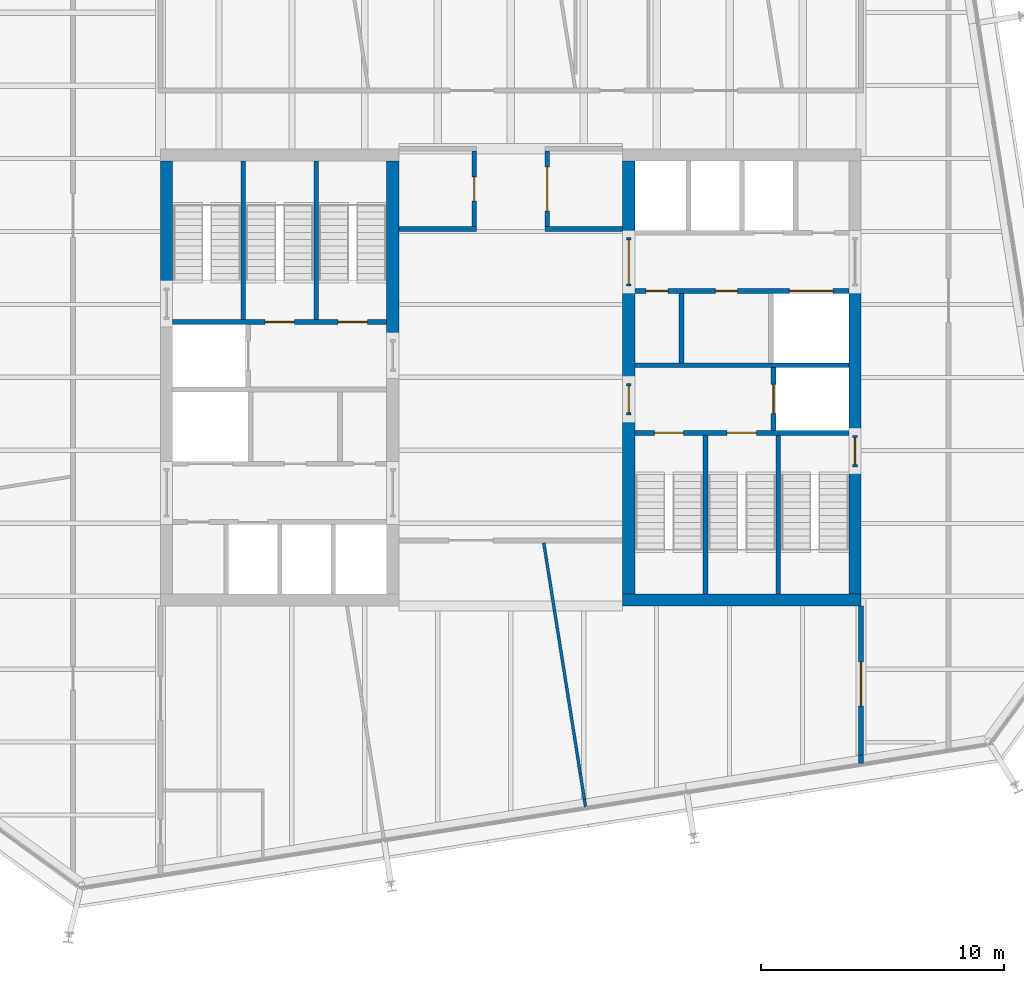
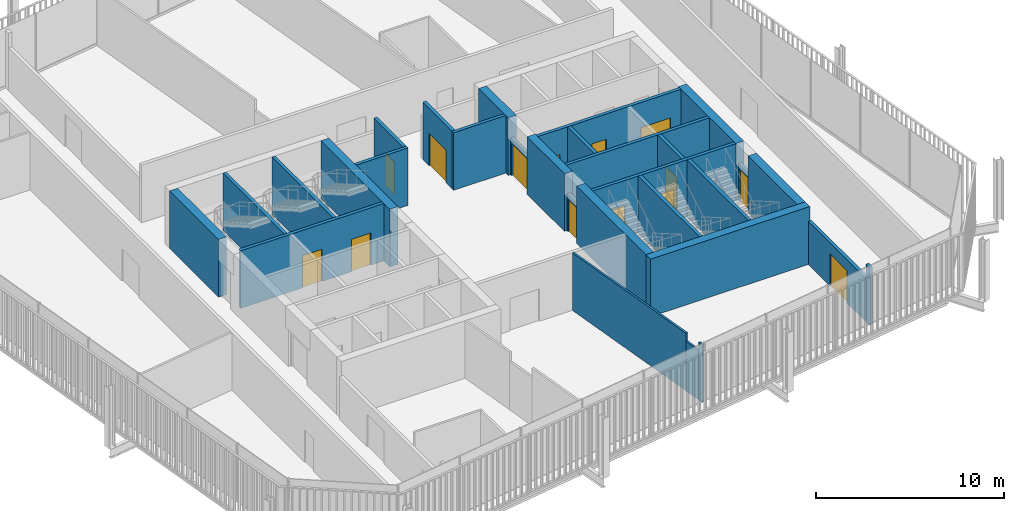
# One storey, part 17 of 20: 30 walls, 14 doors, 14 openings.
"""IFC4 building model written with IfcOpenShell, lengths in metres."""

from ifc_helpers import new_model, si_unit, direction, frame, frame_2d, origin, place, context, subcontext, project, spatial, rectangle, extrude, material, layer, layer_set, type_object, element, fill, save


model = new_model("IFC4")

# Units and contexts
model_context = context("Model", 3, precision=1e-05, world=origin(), true_north=direction((0.0, 1.0)))
body_context = subcontext(model_context, "Body", "Model", "MODEL_VIEW")
ifc_project = project(units=[si_unit("LENGTHUNIT", "METRE"), si_unit("AREAUNIT", "SQUARE_METRE"), si_unit("VOLUMEUNIT", "CUBIC_METRE"), si_unit("PLANEANGLEUNIT", "RADIAN"), si_unit("MASSUNIT", "GRAM", prefix="KILO")], contexts=[model_context])

# Site, building, storey
site_placement = place(None, origin())
site = spatial("IfcSite", under=ifc_project, at=site_placement, CompositionType="ELEMENT")
building_placement = place(site_placement, origin())
building = spatial("IfcBuilding", under=site, at=building_placement, Name="Millrace Tower", CompositionType="ELEMENT")
storey_placement = place(building_placement, frame((0.0, 0.0, 251.300048828125)))
storey = spatial("IfcBuildingStorey", under=building, at=storey_placement, Name="L57", CompositionType="ELEMENT", Elevation=251.300048828125)

# Walls
ifc_material_1 = material(Name="Concrete C60", Category="concrete")
ifc_layer_1 = layer(ifc_material_1, 0.5)
ifc_layer_set_1 = layer_set([ifc_layer_1], Name="Concrete C60")
wall_type_1 = type_object("IfcWallType", Name="Core wall 500 Concrete C60", PredefinedType="SHEAR", material=ifc_layer_set_1)
wall_1_placement = place(storey_placement, frame((-14.14990234375, 3.679931640625, 0.0), z_axis=(0.0, 0.0, 1.0), x_axis=(0.0, 1.0, 0.0)))
element("IfcWall", 1, at=wall_1_placement, inside=storey, type_object=wall_type_1, Name="Core wall W L57", PredefinedType="SHEAR", context=body_context, shape_type="SweptSolid", body=[
    extrude(rectangle(XDim=5.219970703125, YDim=0.5, at=frame_2d((2.60986328125, 0.0))), origin(), (0.0, 0.0, 1.0), 3.739990234375),
])
wall_2_placement = place(storey_placement, frame((-4.85009765625, 1.550048828125, 0.0), z_axis=(0.0, 0.0, 1.0), x_axis=(0.0, 1.0, 0.0)))
element("IfcWall", 2, at=wall_2_placement, inside=storey, type_object=wall_type_1, Name="Core wall W L57", PredefinedType="SHEAR", context=body_context, shape_type="SweptSolid", body=[
    extrude(rectangle(XDim=7.349853515625, YDim=0.5, at=frame_2d((3.6748046875, 0.0))), origin(), (0.0, 0.0, 1.0), 3.739990234375),
])
wall_3_placement = place(storey_placement, frame((14.39990234375, -9.14990234375, 0.0), z_axis=(0.0, 0.0, 1.0), x_axis=(-1.0, 0.0, 0.0)))
element("IfcWall", 3, at=wall_3_placement, inside=storey, type_object=wall_type_1, Name="Core wall E L57", PredefinedType="SHEAR", context=body_context, shape_type="SweptSolid", body=[
    extrude(rectangle(XDim=9.7998046875, YDim=0.5, at=frame_2d((4.89990234375, 0.0))), origin(), (0.0, 0.0, 1.0), 3.739990234375),
])
wall_4_placement = place(storey_placement, frame((14.14990234375, 3.75, 0.0), z_axis=(0.0, 0.0, 1.0), x_axis=(0.0, -1.0, 0.0)))
element("IfcWall", 4, at=wall_4_placement, inside=storey, type_object=wall_type_1, Name="Core wall E L57", PredefinedType="SHEAR", context=body_context, shape_type="SweptSolid", body=[
    extrude(rectangle(XDim=6.1298828125, YDim=0.5, at=frame_2d((3.06494140625, 0.0))), origin(), (0.0, 0.0, 1.0), 3.739990234375),
])
wall_5_placement = place(storey_placement, frame((14.14990234375, -3.679931640625, 0.0), z_axis=(0.0, 0.0, 1.0), x_axis=(0.0, -1.0, 0.0)))
element("IfcWall", 5, at=wall_5_placement, inside=storey, type_object=wall_type_1, Name="Core wall E L57", PredefinedType="SHEAR", context=body_context, shape_type="SweptSolid", body=[
    extrude(rectangle(XDim=5.219970703125, YDim=0.5, at=frame_2d((2.60986328125, 0.0))), origin(), (0.0, 0.0, 1.0), 3.739990234375),
])
wall_6_placement = place(storey_placement, frame((4.85009765625, 8.89990234375, 0.0), z_axis=(0.0, 0.0, 1.0), x_axis=(0.0, -1.0, 0.0)))
element("IfcWall", 6, at=wall_6_placement, inside=storey, type_object=wall_type_1, Name="Core wall E L57", PredefinedType="SHEAR", context=body_context, shape_type="SweptSolid", body=[
    extrude(rectangle(XDim=3.14990234375, YDim=0.5, at=frame_2d((1.574951171875, 0.0))), origin(), (0.0, 0.0, 1.0), 3.739990234375),
])
wall_7_placement = place(storey_placement, frame((4.85009765625, 3.75, 0.0), z_axis=(0.0, 0.0, 1.0), x_axis=(0.0, -1.0, 0.0)))
element("IfcWall", 7, at=wall_7_placement, inside=storey, type_object=wall_type_1, Name="Core wall E L57", PredefinedType="SHEAR", context=body_context, shape_type="SweptSolid", body=[
    extrude(rectangle(XDim=4.0, YDim=0.5, at=frame_2d((2.0, 0.0))), origin(), (0.0, 0.0, 1.0), 3.739990234375),
])
wall_8_placement = place(storey_placement, frame((4.85009765625, -1.550048828125, 0.0), z_axis=(0.0, 0.0, 1.0), x_axis=(0.0, -1.0, 0.0)))
element("IfcWall", 8, at=wall_8_placement, inside=storey, type_object=wall_type_1, Name="Core wall E L57", PredefinedType="SHEAR", context=body_context, shape_type="SweptSolid", body=[
    extrude(rectangle(XDim=7.349853515625, YDim=0.5, at=frame_2d((3.6748046875, 0.0))), origin(), (0.0, 0.0, 1.0), 3.739990234375),
])
ifc_material_2 = material(Name="Masonry partition, fire-rated", Category="masonry")
ifc_layer_2 = layer(ifc_material_2, 0.199951171875)
ifc_layer_set_2 = layer_set([ifc_layer_2], Name="Masonry partition, fire-rated")
wall_type_2 = type_object("IfcWallType", Name="Corridor wall 200", PredefinedType="PARTITIONING", material=ifc_layer_set_2)
for number, where, z_axis, x_axis, name in (
    (9, (-4.60009765625, 6.10009765625, 0.0), (0.0, 0.0, 1.0), (1.0, 0.0, 0.0), "Corridor wall L57"),
    (10, (1.39990234375, 6.10009765625, 0.0), (0.0, 0.0, 1.0), (1.0, 0.0, 0.0), "Corridor wall L57"),
):
    element("IfcWall", number, at=place(storey_placement, frame(where, z_axis=z_axis, x_axis=x_axis)), inside=storey, type_object=wall_type_2, Name=name, PredefinedType="PARTITIONING", context=body_context, shape_type="SweptSolid", body=[
        extrude(rectangle(XDim=3.2001953125, YDim=0.199951171875, at=frame_2d((1.60009765625, 0.0))), origin(), (0.0, 0.0, 1.0), 3.739990234375),
    ])
wall_9_placement = place(storey_placement, frame((14.39990234375, -15.87451171875, 0.0), z_axis=(0.0, 0.0, 1.0), x_axis=(0.0, 1.0, 0.0)))
element("IfcWall", 11, at=wall_9_placement, inside=storey, type_object=wall_type_2, Name="Corridor wall L57", PredefinedType="PARTITIONING", context=body_context, shape_type="SweptSolid", body=[
    extrude(rectangle(XDim=0.349609375, YDim=0.199951171875, at=frame_2d((0.1748046875, 0.0))), origin(), (0.0, 0.0, 1.0), 3.739990234375),
])

# Wall, opening, door
wall_10_placement = place(storey_placement, frame((14.39990234375, -15.52490234375, 0.0), z_axis=(0.0, 0.0, 1.0), x_axis=(0.0, 1.0, 0.0)))
wall_10 = element("IfcWall", 12, at=wall_10_placement, inside=storey, type_object=wall_type_2, Name="Corridor wall L57", PredefinedType="PARTITIONING", context=body_context, shape_type="SweptSolid", body=[
    extrude(rectangle(XDim=6.125, YDim=0.199951171875, at=frame_2d((3.0625, 0.0))), origin(), (0.0, 0.0, 1.0), 2.812744140625),
])
opening_1_placement = place(wall_10_placement, frame((2.012939453125, 0.0, 0.0)))
opening_1 = element("IfcOpeningElement", 13, at=opening_1_placement, cuts=wall_10, Name="Opening 57-P014", PredefinedType="OPENING", context=body_context, shape_type="SweptSolid", body=[
    extrude(rectangle(XDim=1.800048828125, YDim=2.10009765625, at=frame_2d((0.89990234375, 1.050048828125))), frame((0.0, 0.10986328125, 0.0), z_axis=(0.0, -1.0, 0.0), x_axis=(1.0, 0.0, 0.0)), (0.0, 0.0, 1.0), 0.219970703125),
])
ifc_material_3 = material(Name="Steel door set, fire-rated", Category="steel")
door_type_1 = type_object("IfcDoorType", Name="Corridor door 1800 x 2100", OperationType="DOUBLE_DOOR_SINGLE_SWING", PredefinedType="DOOR", material=ifc_material_3)
door_1_placement = place(opening_1_placement, origin())
door_1 = element("IfcDoor", 14, at=door_1_placement, inside=storey, type_object=door_type_1, Name="Door 57-P014", OperationType="DOUBLE_DOOR_SINGLE_SWING", OverallHeight=2.10009765625, OverallWidth=1.800048828125, PredefinedType="DOOR", context=body_context, shape_type="SweptSolid", body=[
    extrude(rectangle(XDim=1.800048828125, YDim=2.10009765625, at=frame_2d((0.89990234375, 1.050048828125))), frame((0.0, 0.02490234375, 0.0), z_axis=(0.0, -1.0, 0.0), x_axis=(1.0, 0.0, 0.0)), (0.0, 0.0, 1.0), 0.050048828125),
])
fill(opening_1, door_1)

wall_11_placement = place(storey_placement, frame((1.5, 6.199951171875, 0.0), z_axis=(0.0, 0.0, 1.0), x_axis=(0.0, 1.0, 0.0)))
wall_11 = element("IfcWall", 15, at=wall_11_placement, inside=storey, type_object=wall_type_2, Name="Corridor wall L57", PredefinedType="PARTITIONING", context=body_context, shape_type="SweptSolid", body=[
    extrude(rectangle(XDim=3.10009765625, YDim=0.199951171875, at=frame_2d((1.550048828125, 0.0))), origin(), (0.0, 0.0, 1.0), 3.739990234375),
])
opening_2_placement = place(wall_11_placement, frame((0.64990234375, 0.0, 0.0)))
opening_2 = element("IfcOpeningElement", 16, at=opening_2_placement, cuts=wall_11, Name="Opening 57-P002", PredefinedType="OPENING", context=body_context, shape_type="SweptSolid", body=[
    extrude(rectangle(XDim=1.800048828125, YDim=2.10009765625, at=frame_2d((0.89990234375, 1.050048828125))), frame((0.0, 0.10986328125, 0.0), z_axis=(0.0, -1.0, 0.0), x_axis=(1.0, 0.0, 0.0)), (0.0, 0.0, 1.0), 0.219970703125),
])
ifc_material_4 = material(Name="Steel door set, fire-rated", Category="steel")
door_type_2 = type_object("IfcDoorType", Name="Data hall door 1800 x 2100", OperationType="DOUBLE_DOOR_SINGLE_SWING", PredefinedType="DOOR", material=ifc_material_4)
door_2_placement = place(opening_2_placement, frame((1.800048828125, 0.0, 0.0), z_axis=(0.0, 0.0, 1.0), x_axis=(-1.0, 0.0, 0.0)))
door_2 = element("IfcDoor", 17, at=door_2_placement, inside=storey, type_object=door_type_2, Name="Door 57-P002", OperationType="DOUBLE_DOOR_SINGLE_SWING", OverallHeight=2.10009765625, OverallWidth=1.800048828125, PredefinedType="DOOR", context=body_context, shape_type="SweptSolid", body=[
    extrude(rectangle(XDim=1.800048828125, YDim=2.10009765625, at=frame_2d((0.89990234375, 1.050048828125))), frame((0.0, 0.02490234375, 0.0), z_axis=(0.0, -1.0, 0.0), x_axis=(1.0, 0.0, 0.0)), (0.0, 0.0, 1.0), 0.050048828125),
])
fill(opening_2, door_2)

wall_12_placement = place(storey_placement, frame((-1.5, 6.199951171875, 0.0), z_axis=(0.0, 0.0, 1.0), x_axis=(0.0, 1.0, 0.0)))
wall_12 = element("IfcWall", 18, at=wall_12_placement, inside=storey, type_object=wall_type_2, Name="Corridor wall L57", PredefinedType="PARTITIONING", context=body_context, shape_type="SweptSolid", body=[
    extrude(rectangle(XDim=3.10009765625, YDim=0.199951171875, at=frame_2d((1.550048828125, 0.0))), origin(), (0.0, 0.0, 1.0), 3.739990234375),
])
opening_3_placement = place(wall_12_placement, frame((1.050048828125, 0.0, 0.0)))
opening_3 = element("IfcOpeningElement", 19, at=opening_3_placement, cuts=wall_12, Name="Opening 57-P001", PredefinedType="OPENING", context=body_context, shape_type="SweptSolid", body=[
    extrude(rectangle(XDim=1.0, YDim=2.10009765625, at=frame_2d((0.5, 1.050048828125))), frame((0.0, 0.10986328125, 0.0), z_axis=(0.0, -1.0, 0.0), x_axis=(1.0, 0.0, 0.0)), (0.0, 0.0, 1.0), 0.219970703125),
])
ifc_material_5 = material(Name="Steel door set, fire-rated", Category="steel")
door_type_3 = type_object("IfcDoorType", Name="Corridor door 1000 x 2100", OperationType="SINGLE_SWING_LEFT", PredefinedType="DOOR", material=ifc_material_5)
door_3_placement = place(opening_3_placement, origin())
door_3 = element("IfcDoor", 20, at=door_3_placement, inside=storey, type_object=door_type_3, Name="Door 57-P001", OperationType="SINGLE_SWING_RIGHT", OverallHeight=2.10009765625, OverallWidth=1.0, PredefinedType="DOOR", context=body_context, shape_type="SweptSolid", body=[
    extrude(rectangle(XDim=1.0, YDim=2.10009765625, at=frame_2d((0.5, 1.050048828125))), frame((0.0, 0.02490234375, 0.0), z_axis=(0.0, -1.0, 0.0), x_axis=(1.0, 0.0, 0.0)), (0.0, 0.0, 1.0), 0.050048828125),
])
fill(opening_3, door_3)

# Wall, openings, doors
ifc_material_6 = material(Name="Masonry partition, fire-rated", Category="masonry")
ifc_layer_3 = layer(ifc_material_6, 0.199951171875)
ifc_layer_set_3 = layer_set([ifc_layer_3], Name="Masonry partition, fire-rated")
wall_type_3 = type_object("IfcWallType", Name="Lift shaft wall 200", PredefinedType="PARTITIONING", material=ifc_layer_set_3)
wall_13_placement = place(storey_placement, frame((13.89990234375, 3.550048828125, 0.0), z_axis=(0.0, 0.0, 1.0), x_axis=(-1.0, 0.0, 0.0)))
wall_13 = element("IfcWall", 21, at=wall_13_placement, inside=storey, type_object=wall_type_3, Name="Lift shaft wall E L57", PredefinedType="PARTITIONING", context=body_context, shape_type="SweptSolid", body=[
    extrude(rectangle(XDim=8.7998046875, YDim=0.199951171875, at=frame_2d((4.39990234375, 0.0))), origin(), (0.0, 0.0, 1.0), 3.739990234375),
])
opening_4_placement = place(wall_13_placement, frame((0.64990234375, 0.0, 0.0)))
opening_4 = element("IfcOpeningElement", 22, at=opening_4_placement, cuts=wall_13, Name="Opening 57-LD13", PredefinedType="OPENING", context=body_context, shape_type="SweptSolid", body=[
    extrude(rectangle(XDim=1.800048828125, YDim=2.10009765625, at=frame_2d((0.89990234375, 1.050048828125))), frame((0.0, 0.10986328125, 0.0), z_axis=(0.0, -1.0, 0.0), x_axis=(1.0, 0.0, 0.0)), (0.0, 0.0, 1.0), 0.219970703125),
])
opening_5_placement = place(wall_13_placement, frame((4.58740234375, 0.0, 0.0)))
opening_5 = element("IfcOpeningElement", 23, at=opening_5_placement, cuts=wall_13, Name="Opening 57-C015", PredefinedType="OPENING", context=body_context, shape_type="SweptSolid", body=[
    extrude(rectangle(XDim=0.89990234375, YDim=2.10009765625, at=frame_2d((0.449951171875, 1.050048828125))), frame((0.0, 0.10986328125, 0.0), z_axis=(0.0, -1.0, 0.0), x_axis=(1.0, 0.0, 0.0)), (0.0, 0.0, 1.0), 0.219970703125),
])
opening_6_placement = place(wall_13_placement, frame((7.4375, 0.0, 0.0)))
opening_6 = element("IfcOpeningElement", 24, at=opening_6_placement, cuts=wall_13, Name="Opening 57-C016", PredefinedType="OPENING", context=body_context, shape_type="SweptSolid", body=[
    extrude(rectangle(XDim=0.89990234375, YDim=2.10009765625, at=frame_2d((0.449951171875, 1.050048828125))), frame((0.0, 0.10986328125, 0.0), z_axis=(0.0, -1.0, 0.0), x_axis=(1.0, 0.0, 0.0)), (0.0, 0.0, 1.0), 0.219970703125),
])
ifc_material_7 = material(Name="Stainless steel, fire-rated", Category="steel")
door_type_4 = type_object("IfcDoorType", Name="Lift landing door 1800 x 2100", OperationType="DOUBLE_DOOR_SLIDING", PredefinedType="DOOR", material=ifc_material_7)
door_4_placement = place(opening_4_placement, origin())
door_4 = element("IfcDoor", 25, at=door_4_placement, inside=storey, type_object=door_type_4, Name="Lift landing door LF13 L57", OperationType="DOUBLE_DOOR_SLIDING", OverallHeight=2.10009765625, OverallWidth=1.800048828125, PredefinedType="DOOR", context=body_context, shape_type="SweptSolid", body=[
    extrude(rectangle(XDim=1.800048828125, YDim=2.10009765625, at=frame_2d((0.89990234375, 1.050048828125))), frame((0.0, 0.02490234375, 0.0), z_axis=(0.0, -1.0, 0.0), x_axis=(1.0, 0.0, 0.0)), (0.0, 0.0, 1.0), 0.050048828125),
])
fill(opening_4, door_4)
ifc_material_8 = material(Name="Steel door, fire-rated", Category="steel")
door_type_5 = type_object("IfcDoorType", Name="Service room door 900 x 2100", OperationType="SINGLE_SWING_LEFT", PredefinedType="DOOR", material=ifc_material_8)
door_5_placement = place(opening_5_placement, origin())
door_5 = element("IfcDoor", 26, at=door_5_placement, inside=storey, type_object=door_type_5, Name="Service room door 57-C015", OperationType="SINGLE_SWING_RIGHT", OverallHeight=2.10009765625, OverallWidth=0.89990234375, PredefinedType="DOOR", context=body_context, shape_type="SweptSolid", body=[
    extrude(rectangle(XDim=0.89990234375, YDim=2.10009765625, at=frame_2d((0.449951171875, 1.050048828125))), frame((0.0, 0.02490234375, 0.0), z_axis=(0.0, -1.0, 0.0), x_axis=(1.0, 0.0, 0.0)), (0.0, 0.0, 1.0), 0.050048828125),
])
fill(opening_5, door_5)
door_6_placement = place(opening_6_placement, origin())
door_6 = element("IfcDoor", 27, at=door_6_placement, inside=storey, type_object=door_type_5, Name="Service room door 57-C016", OperationType="SINGLE_SWING_RIGHT", OverallHeight=2.10009765625, OverallWidth=0.89990234375, PredefinedType="DOOR", context=body_context, shape_type="SweptSolid", body=[
    extrude(rectangle(XDim=0.89990234375, YDim=2.10009765625, at=frame_2d((0.449951171875, 1.050048828125))), frame((0.0, 0.02490234375, 0.0), z_axis=(0.0, -1.0, 0.0), x_axis=(1.0, 0.0, 0.0)), (0.0, 0.0, 1.0), 0.050048828125),
])
fill(opening_6, door_6)

# Wall
wall_14_placement = place(storey_placement, frame((13.89990234375, 0.5, 0.0), z_axis=(0.0, 0.0, 1.0), x_axis=(-1.0, 0.0, 0.0)))
element("IfcWall", 28, at=wall_14_placement, inside=storey, type_object=wall_type_3, Name="Lift shaft wall E L57", PredefinedType="PARTITIONING", context=body_context, shape_type="SweptSolid", body=[
    extrude(rectangle(XDim=8.7998046875, YDim=0.199951171875, at=frame_2d((4.39990234375, 0.0))), origin(), (0.0, 0.0, 1.0), 3.739990234375),
])

# Wall, opening, door
wall_15_placement = place(storey_placement, frame((10.800048828125, 0.39990234375, 0.0), z_axis=(0.0, 0.0, 1.0), x_axis=(0.0, -1.0, 0.0)))
wall_15 = element("IfcWall", 29, at=wall_15_placement, inside=storey, type_object=wall_type_3, Name="Lift shaft wall E L57", PredefinedType="PARTITIONING", context=body_context, shape_type="SweptSolid", body=[
    extrude(rectangle(XDim=2.579833984375, YDim=0.199951171875, at=frame_2d((1.2900390625, 0.0))), origin(), (0.0, 0.0, 1.0), 3.739990234375),
])
opening_7_placement = place(wall_15_placement, frame((0.68994140625, 0.0, 0.0)))
opening_7 = element("IfcOpeningElement", 30, at=opening_7_placement, cuts=wall_15, Name="Opening 57-LD16", PredefinedType="OPENING", context=body_context, shape_type="SweptSolid", body=[
    extrude(rectangle(XDim=1.199951171875, YDim=2.10009765625, at=frame_2d((0.60009765625, 1.050048828125))), frame((0.0, 0.10986328125, 0.0), z_axis=(0.0, -1.0, 0.0), x_axis=(1.0, 0.0, 0.0)), (0.0, 0.0, 1.0), 0.219970703125),
])
ifc_material_9 = material(Name="Stainless steel, fire-rated", Category="steel")
door_type_6 = type_object("IfcDoorType", Name="Lift landing door 1200 x 2100", OperationType="DOUBLE_DOOR_SLIDING", PredefinedType="DOOR", material=ifc_material_9)
door_7_placement = place(opening_7_placement, origin())
door_7 = element("IfcDoor", 31, at=door_7_placement, inside=storey, type_object=door_type_6, Name="Lift landing door LF16 L57", OperationType="DOUBLE_DOOR_SLIDING", OverallHeight=2.10009765625, OverallWidth=1.199951171875, PredefinedType="DOOR", context=body_context, shape_type="SweptSolid", body=[
    extrude(rectangle(XDim=1.199951171875, YDim=2.10009765625, at=frame_2d((0.60009765625, 1.050048828125))), frame((0.0, 0.02490234375, 0.0), z_axis=(0.0, -1.0, 0.0), x_axis=(1.0, 0.0, 0.0)), (0.0, 0.0, 1.0), 0.050048828125),
])
fill(opening_7, door_7)

ifc_material_10 = material(Name="Masonry partition, fire-rated", Category="masonry")
ifc_layer_4 = layer(ifc_material_10, 0.199951171875)
ifc_layer_set_4 = layer_set([ifc_layer_4], Name="Masonry partition, fire-rated")
wall_type_4 = type_object("IfcWallType", Name="Lobby wall 200", PredefinedType="PARTITIONING", material=ifc_layer_set_4)
wall_16_placement = place(storey_placement, frame((4.85009765625, 5.75, 0.0), z_axis=(0.0, 0.0, 1.0), x_axis=(0.0, -1.0, 0.0)))
wall_16 = element("IfcWall", 32, at=wall_16_placement, inside=storey, type_object=wall_type_4, Name="Lobby wall E L57", PredefinedType="PARTITIONING", context=body_context, shape_type="SweptSolid", body=[
    extrude(rectangle(XDim=2.0, YDim=0.199951171875, at=frame_2d((1.0, 0.0))), origin(), (0.0, 0.0, 1.0), 2.39990234375),
])
opening_8_placement = place(wall_16_placement, frame((0.10009765625, 0.0, 0.0)))
opening_8 = element("IfcOpeningElement", 33, at=opening_8_placement, cuts=wall_16, Name="Opening 57-C012", PredefinedType="OPENING", context=body_context, shape_type="SweptSolid", body=[
    extrude(rectangle(XDim=1.800048828125, YDim=2.10009765625, at=frame_2d((0.89990234375, 1.050048828125))), frame((0.0, 0.10986328125, 0.0), z_axis=(0.0, -1.0, 0.0), x_axis=(1.0, 0.0, 0.0)), (0.0, 0.0, 1.0), 0.219970703125),
])
ifc_material_11 = material(Name="Steel door, fire-rated", Category="steel")
door_type_7 = type_object("IfcDoorType", Name="Lobby door 1800 x 2100", OperationType="DOUBLE_DOOR_SINGLE_SWING", PredefinedType="DOOR", material=ifc_material_11)
door_8_placement = place(opening_8_placement, frame((1.800048828125, 0.0, 0.0), z_axis=(0.0, 0.0, 1.0), x_axis=(-1.0, 0.0, 0.0)))
door_8 = element("IfcDoor", 34, at=door_8_placement, inside=storey, type_object=door_type_7, Name="Lobby door 57-C012", OperationType="DOUBLE_DOOR_SINGLE_SWING", OverallHeight=2.10009765625, OverallWidth=1.800048828125, PredefinedType="DOOR", context=body_context, shape_type="SweptSolid", body=[
    extrude(rectangle(XDim=1.800048828125, YDim=2.10009765625, at=frame_2d((0.89990234375, 1.050048828125))), frame((0.0, 0.02490234375, 0.0), z_axis=(0.0, -1.0, 0.0), x_axis=(1.0, 0.0, 0.0)), (0.0, 0.0, 1.0), 0.050048828125),
])
fill(opening_8, door_8)

wall_17_placement = place(storey_placement, frame((4.85009765625, -0.25, 0.0), z_axis=(0.0, 0.0, 1.0), x_axis=(0.0, -1.0, 0.0)))
wall_17 = element("IfcWall", 35, at=wall_17_placement, inside=storey, type_object=wall_type_4, Name="Lobby wall E L57", PredefinedType="PARTITIONING", context=body_context, shape_type="SweptSolid", body=[
    extrude(rectangle(XDim=1.300048828125, YDim=0.199951171875, at=frame_2d((0.64990234375, 0.0))), origin(), (0.0, 0.0, 1.0), 2.39990234375),
])
opening_9_placement = place(wall_17_placement, frame((0.10009765625, 0.0, 0.0)))
opening_9 = element("IfcOpeningElement", 36, at=opening_9_placement, cuts=wall_17, Name="Opening 57-C013", PredefinedType="OPENING", context=body_context, shape_type="SweptSolid", body=[
    extrude(rectangle(XDim=1.10009765625, YDim=2.10009765625, at=frame_2d((0.550048828125, 1.050048828125))), frame((0.0, 0.10986328125, 0.0), z_axis=(0.0, -1.0, 0.0), x_axis=(1.0, 0.0, 0.0)), (0.0, 0.0, 1.0), 0.219970703125),
])
ifc_material_12 = material(Name="Steel door, fire-rated", Category="steel")
door_type_8 = type_object("IfcDoorType", Name="Lobby door 1100 x 2100", OperationType="SINGLE_SWING_LEFT", PredefinedType="DOOR", material=ifc_material_12)
door_9_placement = place(opening_9_placement, frame((1.10009765625, 0.0, 0.0), z_axis=(0.0, 0.0, 1.0), x_axis=(-1.0, 0.0, 0.0)))
door_9 = element("IfcDoor", 37, at=door_9_placement, inside=storey, type_object=door_type_8, Name="Lobby door 57-C013", OperationType="SINGLE_SWING_LEFT", OverallHeight=2.10009765625, OverallWidth=1.10009765625, PredefinedType="DOOR", context=body_context, shape_type="SweptSolid", body=[
    extrude(rectangle(XDim=1.10009765625, YDim=2.10009765625, at=frame_2d((0.550048828125, 1.050048828125))), frame((0.0, 0.02490234375, 0.0), z_axis=(0.0, -1.0, 0.0), x_axis=(1.0, 0.0, 0.0)), (0.0, 0.0, 1.0), 0.050048828125),
])
fill(opening_9, door_9)

# Walls
ifc_material_13 = material(Name="Gypsum board partition")
ifc_layer_5 = layer(ifc_material_13, 0.1201171875)
ifc_layer_set_5 = layer_set([ifc_layer_5], Name="Gypsum board partition")
wall_type_5 = type_object("IfcWallType", Name="Partition wall 120", PredefinedType="PARTITIONING", material=ifc_layer_set_5)
wall_18_placement = place(storey_placement, frame((1.355712890625, -6.798828125, 0.0), z_axis=(0.0, 0.0, 1.0), x_axis=(0.15639059341, -0.98769528818, 0.0)))
element("IfcWall", 38, at=wall_18_placement, inside=storey, type_object=wall_type_5, Name="Partition wall L57", PredefinedType="PARTITIONING", context=body_context, shape_type="SweptSolid", body=[
    extrude(rectangle(XDim=9.60693359375, YDim=0.1201171875, at=frame_2d((4.803466796875, 0.0))), origin(), (0.0, 0.0, 1.0), 3.739990234375),
])
wall_19_placement = place(storey_placement, frame((2.858154296875, -16.28759765625, 0.0), z_axis=(0.0, 0.0, 1.0), x_axis=(0.156535041478, -0.987672405603, 0.0)))
element("IfcWall", 39, at=wall_19_placement, inside=storey, type_object=wall_type_5, Name="Partition wall L57", PredefinedType="PARTITIONING", context=body_context, shape_type="SweptSolid", body=[
    extrude(rectangle(XDim=1.072998046875, YDim=0.1201171875, at=frame_2d((0.53662109375, 0.0))), origin(), (0.0, 0.0, 1.0), 3.214111328125),
])
wall_20_placement = place(storey_placement, frame((3.026123046875, -17.347412109375, 0.0), z_axis=(0.0, 0.0, 1.0), x_axis=(0.155730772494, -0.987799537608, 0.0)))
element("IfcWall", 40, at=wall_20_placement, inside=storey, type_object=wall_type_5, Name="Partition wall L57", PredefinedType="PARTITIONING", context=body_context, shape_type="SweptSolid", body=[
    extrude(rectangle(XDim=0.324462890625, YDim=0.1201171875, at=frame_2d((0.162109375, 0.0))), origin(), (0.0, 0.0, 1.0), 3.739990234375),
])
ifc_material_14 = material(Name="Masonry partition, fire-rated", Category="masonry")
ifc_layer_6 = layer(ifc_material_14, 0.199951171875)
ifc_layer_set_6 = layer_set([ifc_layer_6], Name="Masonry partition, fire-rated")
wall_type_6 = type_object("IfcWallType", Name="Room partition 200", PredefinedType="PARTITIONING", material=ifc_layer_set_6)
wall_21_placement = place(storey_placement, frame((7.02490234375, 3.449951171875, 0.0), z_axis=(0.0, 0.0, 1.0), x_axis=(0.0, -1.0, 0.0)))
element("IfcWall", 41, at=wall_21_placement, inside=storey, type_object=wall_type_6, Name="Room partition E L57", PredefinedType="PARTITIONING", context=body_context, shape_type="SweptSolid", body=[
    extrude(rectangle(XDim=2.849853515625, YDim=0.199951171875, at=frame_2d((1.4248046875, 0.0))), origin(), (0.0, 0.0, 1.0), 3.739990234375),
])

# Wall, openings, doors
ifc_material_15 = material(Name="Concrete C40", Category="concrete")
ifc_layer_7 = layer(ifc_material_15, 0.199951171875)
ifc_layer_set_7 = layer_set([ifc_layer_7], Name="Concrete C40")
wall_type_7 = type_object("IfcWallType", Name="Stair enclosure wall 200 Concrete C40", PredefinedType="SHEAR", material=ifc_layer_set_7)
wall_22_placement = place(storey_placement, frame((-13.89990234375, 2.280029296875, 0.0), z_axis=(0.0, 0.0, 1.0), x_axis=(1.0, 0.0, 0.0)))
wall_22 = element("IfcWall", 42, at=wall_22_placement, inside=storey, type_object=wall_type_7, Name="Stair enclosure wall W L57", PredefinedType="SHEAR", context=body_context, shape_type="SweptSolid", body=[
    extrude(rectangle(XDim=8.7998046875, YDim=0.199951171875, at=frame_2d((4.39990234375, 0.0))), origin(), (0.0, 0.0, 1.0), 3.739990234375),
])
opening_10_placement = place(wall_22_placement, frame((3.800048828125, 0.0, 0.0)))
opening_10 = element("IfcOpeningElement", 43, at=opening_10_placement, cuts=wall_22, Name="Opening 57-C008", PredefinedType="OPENING", context=body_context, shape_type="SweptSolid", body=[
    extrude(rectangle(XDim=1.199951171875, YDim=2.10009765625, at=frame_2d((0.60009765625, 1.050048828125))), frame((0.0, 0.10986328125, 0.0), z_axis=(0.0, -1.0, 0.0), x_axis=(1.0, 0.0, 0.0)), (0.0, 0.0, 1.0), 0.219970703125),
])
opening_11_placement = place(wall_22_placement, frame((6.800048828125, 0.0, 0.0)))
opening_11 = element("IfcOpeningElement", 44, at=opening_11_placement, cuts=wall_22, Name="Opening 57-C009", PredefinedType="OPENING", context=body_context, shape_type="SweptSolid", body=[
    extrude(rectangle(XDim=1.199951171875, YDim=2.10009765625, at=frame_2d((0.60009765625, 1.050048828125))), frame((0.0, 0.10986328125, 0.0), z_axis=(0.0, -1.0, 0.0), x_axis=(1.0, 0.0, 0.0)), (0.0, 0.0, 1.0), 0.219970703125),
])
ifc_material_16 = material(Name="Steel door, fire-rated", Category="steel")
door_type_9 = type_object("IfcDoorType", Name="Stair door 1200 x 2100", OperationType="SINGLE_SWING_LEFT", PredefinedType="DOOR", material=ifc_material_16)
door_10_placement = place(opening_10_placement, frame((1.199951171875, 0.0, 0.0), z_axis=(0.0, 0.0, 1.0), x_axis=(-1.0, 0.0, 0.0)))
door_10 = element("IfcDoor", 45, at=door_10_placement, inside=storey, type_object=door_type_9, Name="Stair door 57-C008", OperationType="SINGLE_SWING_RIGHT", OverallHeight=2.10009765625, OverallWidth=1.199951171875, PredefinedType="DOOR", context=body_context, shape_type="SweptSolid", body=[
    extrude(rectangle(XDim=1.199951171875, YDim=2.10009765625, at=frame_2d((0.60009765625, 1.050048828125))), frame((0.0, 0.02490234375, 0.0), z_axis=(0.0, -1.0, 0.0), x_axis=(1.0, 0.0, 0.0)), (0.0, 0.0, 1.0), 0.050048828125),
])
fill(opening_10, door_10)
door_11_placement = place(opening_11_placement, frame((1.199951171875, 0.0, 0.0), z_axis=(0.0, 0.0, 1.0), x_axis=(-1.0, 0.0, 0.0)))
door_11 = element("IfcDoor", 46, at=door_11_placement, inside=storey, type_object=door_type_9, Name="Stair door 57-C009", OperationType="SINGLE_SWING_LEFT", OverallHeight=2.10009765625, OverallWidth=1.199951171875, PredefinedType="DOOR", context=body_context, shape_type="SweptSolid", body=[
    extrude(rectangle(XDim=1.199951171875, YDim=2.10009765625, at=frame_2d((0.60009765625, 1.050048828125))), frame((0.0, 0.02490234375, 0.0), z_axis=(0.0, -1.0, 0.0), x_axis=(1.0, 0.0, 0.0)), (0.0, 0.0, 1.0), 0.050048828125),
])
fill(opening_11, door_11)

# Walls
for number, where, z_axis, x_axis, name in (
    (47, (-11.0, 2.3798828125, 0.0), (0.0, 0.0, 1.0), (0.0, 1.0, 0.0), "Stair enclosure wall W L57"),
    (48, (-8.0, 2.3798828125, 0.0), (0.0, 0.0, 1.0), (0.0, 1.0, 0.0), "Stair enclosure wall W L57"),
):
    element("IfcWall", number, at=place(storey_placement, frame(where, z_axis=z_axis, x_axis=x_axis)), inside=storey, type_object=wall_type_7, Name=name, PredefinedType="SHEAR", context=body_context, shape_type="SweptSolid", body=[
        extrude(rectangle(XDim=6.52001953125, YDim=0.199951171875, at=frame_2d((3.260009765625, 0.0))), origin(), (0.0, 0.0, 1.0), 3.739990234375),
    ])

# Wall, opening, door
wall_23_placement = place(storey_placement, frame((14.14990234375, -2.3798828125, 0.0), z_axis=(0.0, 0.0, 1.0), x_axis=(0.0, -1.0, 0.0)))
wall_23 = element("IfcWall", 49, at=wall_23_placement, inside=storey, type_object=wall_type_7, Name="Stair enclosure wall E L57", PredefinedType="SHEAR", context=body_context, shape_type="SweptSolid", body=[
    extrude(rectangle(XDim=1.300048828125, YDim=0.199951171875, at=frame_2d((0.64990234375, 0.0))), origin(), (0.0, 0.0, 1.0), 2.39990234375),
])
opening_12_placement = place(wall_23_placement, frame((0.10009765625, 0.0, 0.0)))
opening_12 = element("IfcOpeningElement", 50, at=opening_12_placement, cuts=wall_23, Name="Opening 57-C011", PredefinedType="OPENING", context=body_context, shape_type="SweptSolid", body=[
    extrude(rectangle(XDim=1.10009765625, YDim=2.10009765625, at=frame_2d((0.550048828125, 1.050048828125))), frame((0.0, 0.10986328125, 0.0), z_axis=(0.0, -1.0, 0.0), x_axis=(1.0, 0.0, 0.0)), (0.0, 0.0, 1.0), 0.219970703125),
])
ifc_material_17 = material(Name="Steel door, fire-rated", Category="steel")
door_type_10 = type_object("IfcDoorType", Name="Stair door 1100 x 2100", OperationType="SINGLE_SWING_LEFT", PredefinedType="DOOR", material=ifc_material_17)
door_12_placement = place(opening_12_placement, origin())
door_12 = element("IfcDoor", 51, at=door_12_placement, inside=storey, type_object=door_type_10, Name="Stair door 57-C011", OperationType="SINGLE_SWING_LEFT", OverallHeight=2.10009765625, OverallWidth=1.10009765625, PredefinedType="DOOR", context=body_context, shape_type="SweptSolid", body=[
    extrude(rectangle(XDim=1.10009765625, YDim=2.10009765625, at=frame_2d((0.550048828125, 1.050048828125))), frame((0.0, 0.02490234375, 0.0), z_axis=(0.0, -1.0, 0.0), x_axis=(1.0, 0.0, 0.0)), (0.0, 0.0, 1.0), 0.050048828125),
])
fill(opening_12, door_12)

# Wall, openings, doors
wall_24_placement = place(storey_placement, frame((13.89990234375, -2.280029296875, 0.0), z_axis=(0.0, 0.0, 1.0), x_axis=(-1.0, 0.0, 0.0)))
wall_24 = element("IfcWall", 52, at=wall_24_placement, inside=storey, type_object=wall_type_7, Name="Stair enclosure wall E L57", PredefinedType="SHEAR", context=body_context, shape_type="SweptSolid", body=[
    extrude(rectangle(XDim=8.7998046875, YDim=0.199951171875, at=frame_2d((4.39990234375, 0.0))), origin(), (0.0, 0.0, 1.0), 3.739990234375),
])
opening_13_placement = place(wall_24_placement, frame((3.800048828125, 0.0, 0.0)))
opening_13 = element("IfcOpeningElement", 53, at=opening_13_placement, cuts=wall_24, Name="Opening 57-C017", PredefinedType="OPENING", context=body_context, shape_type="SweptSolid", body=[
    extrude(rectangle(XDim=1.199951171875, YDim=2.10009765625, at=frame_2d((0.60009765625, 1.050048828125))), frame((0.0, 0.10986328125, 0.0), z_axis=(0.0, -1.0, 0.0), x_axis=(1.0, 0.0, 0.0)), (0.0, 0.0, 1.0), 0.219970703125),
])
opening_14_placement = place(wall_24_placement, frame((6.800048828125, 0.0, 0.0)))
opening_14 = element("IfcOpeningElement", 54, at=opening_14_placement, cuts=wall_24, Name="Opening 57-C018", PredefinedType="OPENING", context=body_context, shape_type="SweptSolid", body=[
    extrude(rectangle(XDim=1.199951171875, YDim=2.10009765625, at=frame_2d((0.60009765625, 1.050048828125))), frame((0.0, 0.10986328125, 0.0), z_axis=(0.0, -1.0, 0.0), x_axis=(1.0, 0.0, 0.0)), (0.0, 0.0, 1.0), 0.219970703125),
])
door_13_placement = place(opening_13_placement, frame((1.199951171875, 0.0, 0.0), z_axis=(0.0, 0.0, 1.0), x_axis=(-1.0, 0.0, 0.0)))
door_13 = element("IfcDoor", 55, at=door_13_placement, inside=storey, type_object=door_type_9, Name="Stair door 57-C017", OperationType="SINGLE_SWING_RIGHT", OverallHeight=2.10009765625, OverallWidth=1.199951171875, PredefinedType="DOOR", context=body_context, shape_type="SweptSolid", body=[
    extrude(rectangle(XDim=1.199951171875, YDim=2.10009765625, at=frame_2d((0.60009765625, 1.050048828125))), frame((0.0, 0.02490234375, 0.0), z_axis=(0.0, -1.0, 0.0), x_axis=(1.0, 0.0, 0.0)), (0.0, 0.0, 1.0), 0.050048828125),
])
fill(opening_13, door_13)
door_14_placement = place(opening_14_placement, frame((1.199951171875, 0.0, 0.0), z_axis=(0.0, 0.0, 1.0), x_axis=(-1.0, 0.0, 0.0)))
door_14 = element("IfcDoor", 56, at=door_14_placement, inside=storey, type_object=door_type_9, Name="Stair door 57-C018", OperationType="SINGLE_SWING_LEFT", OverallHeight=2.10009765625, OverallWidth=1.199951171875, PredefinedType="DOOR", context=body_context, shape_type="SweptSolid", body=[
    extrude(rectangle(XDim=1.199951171875, YDim=2.10009765625, at=frame_2d((0.60009765625, 1.050048828125))), frame((0.0, 0.02490234375, 0.0), z_axis=(0.0, -1.0, 0.0), x_axis=(1.0, 0.0, 0.0)), (0.0, 0.0, 1.0), 0.050048828125),
])
fill(opening_14, door_14)

# Walls
for number, where, z_axis, x_axis, name in (
    (57, (11.0, -2.3798828125, 0.0), (0.0, 0.0, 1.0), (0.0, -1.0, 0.0), "Stair enclosure wall E L57"),
    (58, (8.0, -2.3798828125, 0.0), (0.0, 0.0, 1.0), (0.0, -1.0, 0.0), "Stair enclosure wall E L57"),
):
    element("IfcWall", number, at=place(storey_placement, frame(where, z_axis=z_axis, x_axis=x_axis)), inside=storey, type_object=wall_type_7, Name=name, PredefinedType="SHEAR", context=body_context, shape_type="SweptSolid", body=[
        extrude(rectangle(XDim=6.52001953125, YDim=0.199951171875, at=frame_2d((3.260009765625, 0.0))), origin(), (0.0, 0.0, 1.0), 3.739990234375),
    ])

save(model, "model.ifc")
